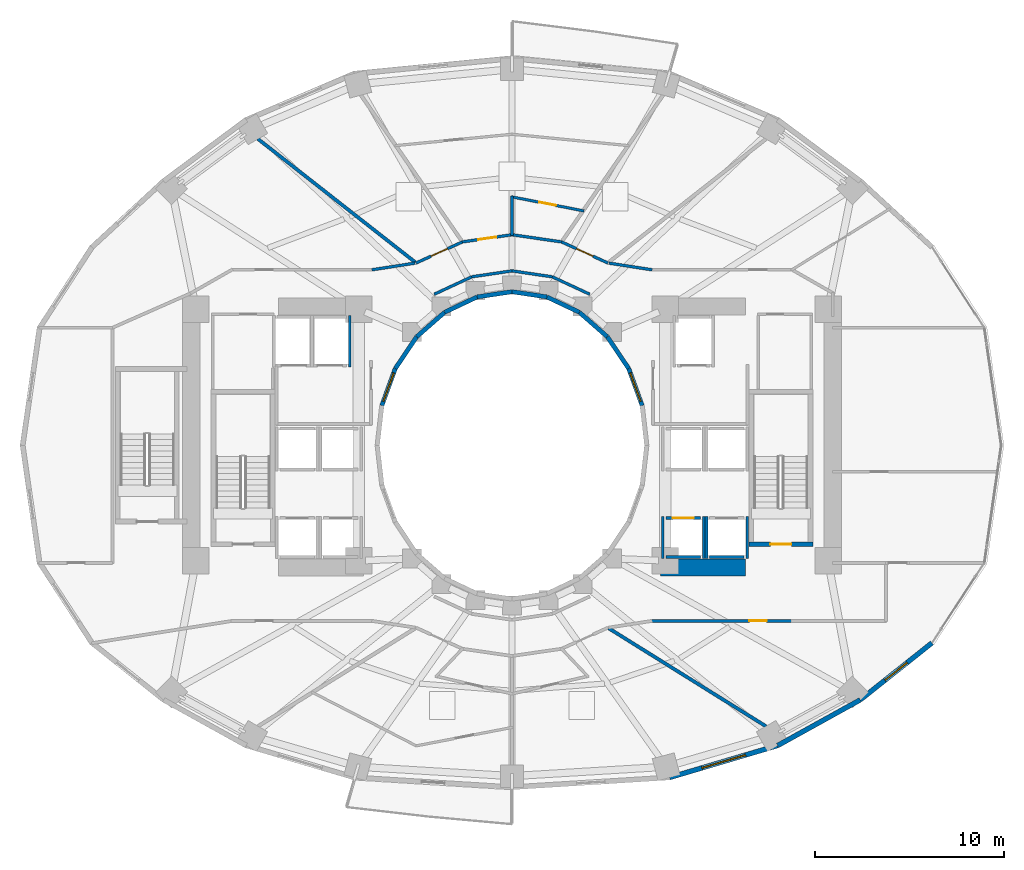
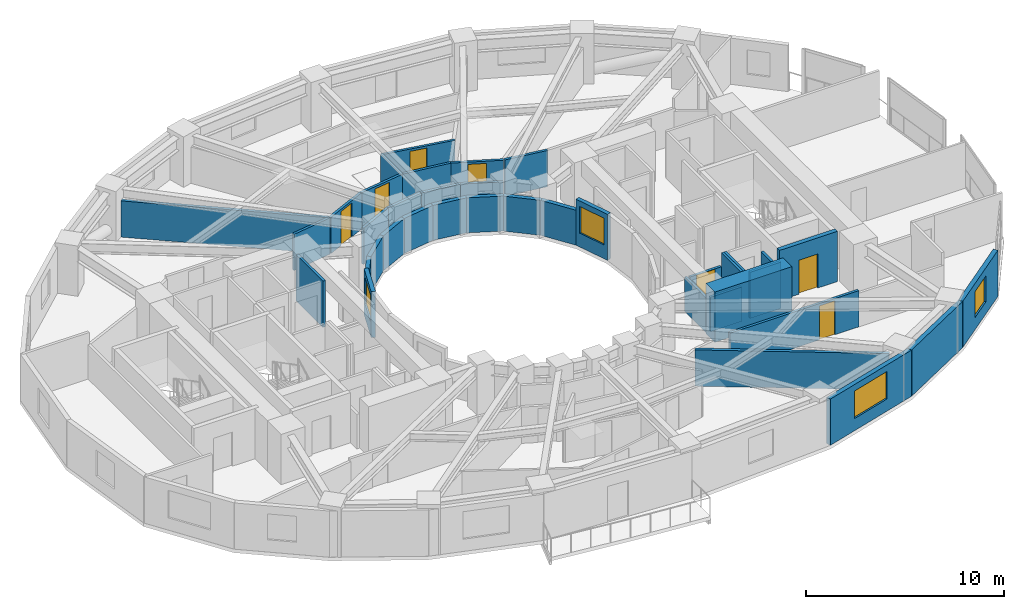
# One storey, part 9 of 14: 38 walls, 7 doors, 4 windows, 11 openings.
"""IFC4 building model written with IfcOpenShell, lengths in metres."""

from ifc_helpers import new_model, si_unit, direction, frame, frame_2d, origin, place, context, subcontext, project, spatial, rectangle, extrude, material, layer, layer_set, type_object, element, fill, save


model = new_model("IFC4")

# Units and contexts
model_context = context("Model", 3, precision=1e-05, world=origin(), true_north=direction((0.0, 1.0)))
body_context = subcontext(model_context, "Body", "Model", "MODEL_VIEW")
ifc_project = project(units=[si_unit("LENGTHUNIT", "METRE"), si_unit("AREAUNIT", "SQUARE_METRE"), si_unit("VOLUMEUNIT", "CUBIC_METRE"), si_unit("PLANEANGLEUNIT", "RADIAN"), si_unit("MASSUNIT", "GRAM", prefix="KILO")], contexts=[model_context])

# Site, building, storey
site_placement = place(None, origin())
site = spatial("IfcSite", under=ifc_project, at=site_placement, CompositionType="ELEMENT")
building_placement = place(site_placement, origin())
building = spatial("IfcBuilding", under=site, at=building_placement, Name="Solvane Sanctuary Tower", CompositionType="ELEMENT")
storey_placement = place(building_placement, frame((0.0, 0.0, 40.0)))
storey = spatial("IfcBuildingStorey", under=building, at=storey_placement, Name="L11", CompositionType="ELEMENT", Elevation=40.0)

# Walls
ifc_material_1 = material(Name="Concrete C70/85", Category="concrete")
ifc_layer_1 = layer(ifc_material_1, 0.89990234375, Name="Concrete C70/85")
ifc_layer_set_1 = layer_set([ifc_layer_1], Name="Concrete C70/85")
wall_type_1 = type_object("IfcWallType", Name="Wall W-CORE-900", PredefinedType="SHEAR", material=ifc_layer_set_1)
wall_1_placement = place(storey_placement, frame((39.85009765625, 16.550048828125, 0.0), z_axis=(0.0, 0.0, 1.0), x_axis=(1.0, 0.0, 0.0)))
element("IfcWall", 1, at=wall_1_placement, inside=storey, type_object=wall_type_1, Name="L11 Core Shear Wall EC-S", PredefinedType="SHEAR", context=body_context, shape_type="SweptSolid", body=[
    extrude(rectangle(XDim=4.5, YDim=0.89990234375, at=frame_2d((2.25, 0.0))), origin(), (0.0, 0.0, 1.0), 3.10009765625),
])
ifc_material_2 = material(Name="Acoustic Gypsum Partition Board")
ifc_layer_2 = layer(ifc_material_2, 0.14990234375, Name="Acoustic Gypsum Partition Board")
ifc_layer_set_2 = layer_set([ifc_layer_2], Name="Acoustic Gypsum Partition Board")
wall_type_2 = type_object("IfcWallType", Name="Wall W-CORR-150", PredefinedType="PARTITIONING", material=ifc_layer_set_2)
wall_2_placement = place(storey_placement, frame((36.110107421875, 30.98486328125, 0.0), z_axis=(0.0, 0.0, 1.0), x_axis=(-0.906943449489, 0.421252393975, 0.0)))
element("IfcWall", 2, at=wall_2_placement, inside=storey, type_object=wall_type_2, Name="L11 Light-Well Corridor Rim Wall N1", PredefinedType="PARTITIONING", context=body_context, shape_type="SweptSolid", body=[
    extrude(rectangle(XDim=2.18603515625, YDim=0.14990234375, at=frame_2d((1.093017578125, 0.0))), origin(), (0.0, 0.0, 1.0), 2.237060546875),
])
for number, where, z_axis, x_axis, name in (
    (3, (34.12744140625, 31.90576171875, 0.0), (0.0, 0.0, 1.0), (-0.989268584896, 0.146108408166, 0.0), "L11 Light-Well Corridor Rim Wall N2"),
    (4, (32.0, 32.219970703125, 0.0), (0.0, 0.0, 1.0), (-0.989268584896, -0.146108408166, 0.0), "L11 Light-Well Corridor Rim Wall N3"),
):
    element("IfcWall", number, at=place(storey_placement, frame(where, z_axis=z_axis, x_axis=x_axis)), inside=storey, type_object=wall_type_2, Name=name, PredefinedType="PARTITIONING", context=body_context, shape_type="SweptSolid", body=[
        extrude(rectangle(XDim=2.150634765625, YDim=0.14990234375, at=frame_2d((1.0751953125, 0.0))), origin(), (0.0, 0.0, 1.0), 2.237060546875),
    ])
wall_3_placement = place(storey_placement, frame((29.87255859375, 31.90576171875, 0.0), z_axis=(0.0, 0.0, 1.0), x_axis=(-0.906943449489, -0.421252393975, 0.0)))
element("IfcWall", 5, at=wall_3_placement, inside=storey, type_object=wall_type_2, Name="L11 Light-Well Corridor Rim Wall N4", PredefinedType="PARTITIONING", context=body_context, shape_type="SweptSolid", body=[
    extrude(rectangle(XDim=2.18603515625, YDim=0.14990234375, at=frame_2d((1.093017578125, 0.0))), origin(), (0.0, 0.0, 1.0), 2.237060546875),
])
for number, where, z_axis, x_axis, name in (
    (6, (37.119384765625, 32.630615234375, 0.0), (0.0, 0.0, 1.0), (0.988184633586, -0.153268163508, 0.0), "L11 NE Corner Throat Wall"),
    (7, (26.880615234375, 32.630615234375, 0.0), (0.0, 0.0, 1.0), (-0.988184633586, -0.153268163508, 0.0), "L11 NW Corner Throat Wall"),
):
    element("IfcWall", number, at=place(storey_placement, frame(where, z_axis=z_axis, x_axis=x_axis)), inside=storey, type_object=wall_type_2, Name=name, PredefinedType="PARTITIONING", context=body_context, shape_type="SweptSolid", body=[
        extrude(rectangle(XDim=2.317626953125, YDim=0.14990234375, at=frame_2d((1.15869140625, 0.0))), origin(), (0.0, 0.0, 1.0), 2.237060546875),
    ])

# Wall, opening, door
wall_4_placement = place(storey_placement, frame((39.330078125, 13.719970703125, 0.0), z_axis=(0.0, 0.0, 1.0), x_axis=(1.0, 0.0, 0.0)))
wall_4 = element("IfcWall", 8, at=wall_4_placement, inside=storey, type_object=wall_type_2, Name="L11 SE Corner Corridor Wall", PredefinedType="PARTITIONING", context=body_context, shape_type="SweptSolid", body=[
    extrude(rectangle(XDim=7.52001953125, YDim=0.14990234375, at=frame_2d((3.760009765625, 0.0))), origin(), (0.0, 0.0, 1.0), 2.237060546875),
])
opening_1_placement = place(wall_4_placement, frame((5.219970703125, 0.0, 0.0)))
opening_1 = element("IfcOpeningElement", 9, at=opening_1_placement, cuts=wall_4, Name="Opening D-L11-17", PredefinedType="OPENING", context=body_context, shape_type="SweptSolid", body=[
    extrude(rectangle(XDim=0.89990234375, YDim=2.10009765625, at=frame_2d((0.449951171875, 1.050048828125))), frame((0.0, 0.0849609375, 0.0), z_axis=(0.0, -1.0, 0.0), x_axis=(1.0, 0.0, 0.0)), (0.0, 0.0, 1.0), 0.169921875),
])
ifc_material_3 = material(Name="Engineered Tropical Hardwood", Category="wood")
door_type_1 = type_object("IfcDoorType", Name="Door D-WET-900", OperationType="NOTDEFINED", PredefinedType="DOOR", material=ifc_material_3)
door_1_placement = place(opening_1_placement, origin())
door_1 = element("IfcDoor", 10, at=door_1_placement, inside=storey, type_object=door_type_1, Name="L11 SE Corner Salon Door", OperationType="SINGLE_SWING_LEFT", OverallHeight=2.10009765625, OverallWidth=0.89990234375, PredefinedType="DOOR", context=body_context, shape_type="SweptSolid", body=[
    extrude(rectangle(XDim=0.89990234375, YDim=2.10009765625, at=frame_2d((0.449951171875, 1.050048828125))), frame((0.0, 0.02490234375, 0.0), z_axis=(0.0, -1.0, 0.0), x_axis=(1.0, 0.0, 0.0)), (0.0, 0.0, 1.0), 0.050048828125),
])
fill(opening_1, door_1)

wall_5_placement = place(storey_placement, frame((37.071044921875, 32.635009765625, 0.0), z_axis=(0.0, 0.0, 1.0), x_axis=(-0.910186679378, 0.414198272186, 0.0)))
wall_5 = element("IfcWall", 11, at=wall_5_placement, inside=storey, type_object=wall_type_2, Name="L11 Unit Corridor Wall N1", PredefinedType="PARTITIONING", context=body_context, shape_type="SweptSolid", body=[
    extrude(rectangle(XDim=2.698486328125, YDim=0.14990234375, at=frame_2d((1.34912109375, 0.0))), origin(), (0.0, 0.0, 1.0), 2.237060546875),
])
opening_2_placement = place(wall_5_placement, frame((0.874267578125, 0.0, 0.0)))
opening_2 = element("IfcOpeningElement", 12, at=opening_2_placement, cuts=wall_5, Name="Opening D-L11-18", PredefinedType="OPENING", context=body_context, shape_type="SweptSolid", body=[
    extrude(rectangle(XDim=0.949951171875, YDim=2.10009765625, at=frame_2d((0.47509765625, 1.050048828125))), frame((0.0, 0.0849609375, 0.0), z_axis=(0.0, -1.0, 0.0), x_axis=(1.0, 0.0, 0.0)), (0.0, 0.0, 1.0), 0.169921875),
])
door_type_2 = type_object("IfcDoorType", Name="Door D-ROOM-950", OperationType="NOTDEFINED", PredefinedType="DOOR", material=ifc_material_3)
door_2_placement = place(opening_2_placement, origin())
door_2 = element("IfcDoor", 13, at=door_2_placement, inside=storey, type_object=door_type_2, Name="L11 Unit Entrance Door N1", OperationType="SINGLE_SWING_RIGHT", OverallHeight=2.10009765625, OverallWidth=0.949951171875, PredefinedType="DOOR", context=body_context, shape_type="SweptSolid", body=[
    extrude(rectangle(XDim=0.949951171875, YDim=2.10009765625, at=frame_2d((0.47509765625, 1.050048828125))), frame((0.0, 0.02490234375, 0.0), z_axis=(0.0, -1.0, 0.0), x_axis=(1.0, 0.0, 0.0)), (0.0, 0.0, 1.0), 0.050048828125),
])
fill(opening_2, door_2)

# Wall
wall_6_placement = place(storey_placement, frame((34.67138671875, 33.74365234375, 0.0), z_axis=(0.0, 0.0, 1.0), x_axis=(-0.989701115085, 0.143149232617, 0.0)))
element("IfcWall", 14, at=wall_6_placement, inside=storey, type_object=wall_type_2, Name="L11 En-suite Inner Wall N2", PredefinedType="PARTITIONING", context=body_context, shape_type="SweptSolid", body=[
    extrude(rectangle(XDim=2.749267578125, YDim=0.14990234375, at=frame_2d((1.37451171875, 0.0))), origin(), (0.0, 0.0, 1.0), 2.237060546875),
])

# Wall, opening, door
wall_7_placement = place(storey_placement, frame((32.007080078125, 34.1298828125, 0.0), z_axis=(0.0, 0.0, 1.0), x_axis=(-0.989707881179, -0.143102445584, 0.0)))
wall_7 = element("IfcWall", 15, at=wall_7_placement, inside=storey, type_object=wall_type_2, Name="L11 Unit Corridor Wall N2", PredefinedType="PARTITIONING", context=body_context, shape_type="SweptSolid", body=[
    extrude(rectangle(XDim=2.6630859375, YDim=0.14990234375, at=frame_2d((1.33154296875, 0.0))), origin(), (0.0, 0.0, 1.0), 2.237060546875),
])
opening_3_placement = place(wall_7_placement, frame((0.856689453125, 0.0, 0.0)))
opening_3 = element("IfcOpeningElement", 16, at=opening_3_placement, cuts=wall_7, Name="Opening D-L11-21", PredefinedType="OPENING", context=body_context, shape_type="SweptSolid", body=[
    extrude(rectangle(XDim=0.949951171875, YDim=2.10009765625, at=frame_2d((0.47509765625, 1.050048828125))), frame((0.0, 0.0849609375, 0.0), z_axis=(0.0, -1.0, 0.0), x_axis=(1.0, 0.0, 0.0)), (0.0, 0.0, 1.0), 0.169921875),
])
door_3_placement = place(opening_3_placement, origin())
door_3 = element("IfcDoor", 17, at=door_3_placement, inside=storey, type_object=door_type_2, Name="L11 Unit Entrance Door N2", OperationType="SINGLE_SWING_LEFT", OverallHeight=2.10009765625, OverallWidth=0.949951171875, PredefinedType="DOOR", context=body_context, shape_type="SweptSolid", body=[
    extrude(rectangle(XDim=0.949951171875, YDim=2.10009765625, at=frame_2d((0.47509765625, 1.050048828125))), frame((0.0, 0.02490234375, 0.0), z_axis=(0.0, -1.0, 0.0), x_axis=(1.0, 0.0, 0.0)), (0.0, 0.0, 1.0), 0.050048828125),
])
fill(opening_3, door_3)

wall_8_placement = place(storey_placement, frame((29.385009765625, 33.752685546875, 0.0), z_axis=(0.0, 0.0, 1.0), x_axis=(-0.910186679378, -0.414198272186, 0.0)))
wall_8 = element("IfcWall", 18, at=wall_8_placement, inside=storey, type_object=wall_type_2, Name="L11 Unit Corridor Wall N3", PredefinedType="PARTITIONING", context=body_context, shape_type="SweptSolid", body=[
    extrude(rectangle(XDim=2.698486328125, YDim=0.14990234375, at=frame_2d((1.34912109375, 0.0))), origin(), (0.0, 0.0, 1.0), 2.237060546875),
])
opening_4_placement = place(wall_8_placement, frame((0.874267578125, 0.0, 0.0)))
opening_4 = element("IfcOpeningElement", 19, at=opening_4_placement, cuts=wall_8, Name="Opening D-L11-22", PredefinedType="OPENING", context=body_context, shape_type="SweptSolid", body=[
    extrude(rectangle(XDim=0.949951171875, YDim=2.10009765625, at=frame_2d((0.47509765625, 1.050048828125))), frame((0.0, 0.0849609375, 0.0), z_axis=(0.0, -1.0, 0.0), x_axis=(1.0, 0.0, 0.0)), (0.0, 0.0, 1.0), 0.169921875),
])
door_4_placement = place(opening_4_placement, origin())
door_4 = element("IfcDoor", 20, at=door_4_placement, inside=storey, type_object=door_type_2, Name="L11 Unit Entrance Door N3", OperationType="SINGLE_SWING_RIGHT", OverallHeight=2.10009765625, OverallWidth=0.949951171875, PredefinedType="DOOR", context=body_context, shape_type="SweptSolid", body=[
    extrude(rectangle(XDim=0.949951171875, YDim=2.10009765625, at=frame_2d((0.47509765625, 1.050048828125))), frame((0.0, 0.02490234375, 0.0), z_axis=(0.0, -1.0, 0.0), x_axis=(1.0, 0.0, 0.0)), (0.0, 0.0, 1.0), 0.050048828125),
])
fill(opening_4, door_4)

# Wall, opening, window
ifc_material_4 = material(Name="Precast concrete C40/50", Category="concrete")
ifc_layer_3 = layer(ifc_material_4, 0.260009765625, Name="Precast concrete C40/50")
ifc_layer_set_3 = layer_set([ifc_layer_3], Name="Precast concrete C40/50")
wall_type_3 = type_object("IfcWallType", Name="Wall W-EXT-250", PredefinedType="STANDARD", material=ifc_layer_set_3)
wall_9_placement = place(storey_placement, frame((40.331787109375, 5.447021484375, 0.0), z_axis=(0.0, 0.0, 1.0), x_axis=(0.958843593522, 0.283934786811, 0.0)))
wall_9 = element("IfcWall", 21, at=wall_9_placement, inside=storey, type_object=wall_type_3, Name="L11 Ceramic-Printed Facade Wall 19", PredefinedType="STANDARD", context=body_context, shape_type="SweptSolid", body=[
    extrude(rectangle(XDim=5.955322265625, YDim=0.260009765625, at=frame_2d((2.9775390625, 0.0))), origin(), (0.0, 0.0, 1.0), 2.85009765625),
])
opening_5_placement = place(wall_9_placement, frame((1.777587890625, 0.0, 0.75)))
opening_5 = element("IfcOpeningElement", 22, at=opening_5_placement, cuts=wall_9, Name="Opening WN-RIB-2400", PredefinedType="OPENING", context=body_context, shape_type="SweptSolid", body=[
    extrude(rectangle(XDim=2.39990234375, YDim=1.699951171875, at=frame_2d((1.199951171875, 0.85009765625))), frame((0.0, 0.139892578125, 0.0), z_axis=(0.0, -1.0, 0.0), x_axis=(1.0, 0.0, 0.0)), (0.0, 0.0, 1.0), 0.280029296875),
])
ifc_material_5 = material(Name="Dark Ceramic-Fritted Low-E Glass", Category="glass")
window_type_1 = type_object("IfcWindowType", Name="Window WN-RIB-2400", PartitioningType="SINGLE_PANEL", PredefinedType="WINDOW", material=ifc_material_5)
window_1_placement = place(opening_5_placement, origin())
window_1 = element("IfcWindow", 23, at=window_1_placement, inside=storey, type_object=window_type_1, Name="L11 Operable Facade Window 19", OverallHeight=1.699951171875, OverallWidth=2.39990234375, PartitioningType="SINGLE_PANEL", PredefinedType="WINDOW", context=body_context, shape_type="SweptSolid", body=[
    extrude(rectangle(XDim=2.39990234375, YDim=1.699951171875, at=frame_2d((1.199951171875, 0.85009765625))), frame((0.0, 0.030029296875, 0.0), z_axis=(0.0, -1.0, 0.0), x_axis=(1.0, 0.0, 0.0)), (0.0, 0.0, 1.0), 0.06005859375),
])
fill(opening_5, window_1)

# Wall
wall_10_placement = place(storey_placement, frame((46.0419921875, 7.137939453125, 0.0), z_axis=(0.0, 0.0, 1.0), x_axis=(0.875137303239, 0.483874674352, 0.0)))
element("IfcWall", 24, at=wall_10_placement, inside=storey, type_object=wall_type_3, Name="L11 Ceramic-Printed Facade Wall 20", PredefinedType="STANDARD", context=body_context, shape_type="SweptSolid", body=[
    extrude(rectangle(XDim=4.985107421875, YDim=0.260009765625, at=frame_2d((2.49267578125, 0.0))), origin(), (0.0, 0.0, 1.0), 2.85009765625),
])

# Wall, opening, window
wall_11_placement = place(storey_placement, frame((50.404541015625, 9.550048828125, 0.0), z_axis=(0.0, 0.0, 1.0), x_axis=(0.783123133379, 0.621866672179, 0.0)))
wall_11 = element("IfcWall", 25, at=wall_11_placement, inside=storey, type_object=wall_type_3, Name="L11 Ceramic-Printed Facade Wall 21", PredefinedType="STANDARD", context=body_context, shape_type="SweptSolid", body=[
    extrude(rectangle(XDim=4.838623046875, YDim=0.260009765625, at=frame_2d((2.41943359375, 0.0))), origin(), (0.0, 0.0, 1.0), 2.85009765625),
])
opening_6_placement = place(wall_11_placement, frame((1.669189453125, 0.0, 0.75)))
opening_6 = element("IfcOpeningElement", 26, at=opening_6_placement, cuts=wall_11, Name="Opening WN-OPER-1500", PredefinedType="OPENING", context=body_context, shape_type="SweptSolid", body=[
    extrude(rectangle(XDim=1.5, YDim=1.60009765625, at=frame_2d((0.75, 0.800048828125))), frame((0.0, 0.139892578125, 0.0), z_axis=(0.0, -1.0, 0.0), x_axis=(1.0, 0.0, 0.0)), (0.0, 0.0, 1.0), 0.280029296875),
])
window_type_2 = type_object("IfcWindowType", Name="Window WN-OPER-1500", PartitioningType="SINGLE_PANEL", PredefinedType="WINDOW", material=ifc_material_5)
window_2_placement = place(opening_6_placement, origin())
window_2 = element("IfcWindow", 27, at=window_2_placement, inside=storey, type_object=window_type_2, Name="L11 Operable Facade Window 21", OverallHeight=1.60009765625, OverallWidth=1.5, PartitioningType="SINGLE_PANEL", PredefinedType="WINDOW", context=body_context, shape_type="SweptSolid", body=[
    extrude(rectangle(XDim=1.5, YDim=1.60009765625, at=frame_2d((0.75, 0.800048828125))), frame((0.0, 0.030029296875, 0.0), z_axis=(0.0, -1.0, 0.0), x_axis=(1.0, 0.0, 0.0)), (0.0, 0.0, 1.0), 0.06005859375),
])
fill(opening_6, window_2)

ifc_layer_4 = layer(ifc_material_4, 0.22998046875, Name="Precast concrete C40/50")
ifc_layer_set_4 = layer_set([ifc_layer_4], Name="Precast concrete C40/50")
wall_type_4 = type_object("IfcWallType", Name="Wall W-EXT-SP220", PredefinedType="STANDARD", material=ifc_layer_set_4)
wall_12_placement = place(storey_placement, frame((38.87744140625, 25.1015625, 0.0), z_axis=(0.0, 0.0, 1.0), x_axis=(-0.341423187295, 0.93990968033, 0.0)))
wall_12 = element("IfcWall", 28, at=wall_12_placement, inside=storey, type_object=wall_type_4, Name="L11 Central Light-Well Wall 01", PredefinedType="STANDARD", context=body_context, shape_type="SweptSolid", body=[
    extrude(rectangle(XDim=2.083740234375, YDim=0.22998046875, at=frame_2d((1.0419921875, 0.0))), origin(), (0.0, 0.0, 1.0), 2.840087890625),
])
opening_7_placement = place(wall_12_placement, frame((0.24169921875, 0.0, 0.85009765625)))
opening_7 = element("IfcOpeningElement", 29, at=opening_7_placement, cuts=wall_12, Name="Opening WN-WELL-1600", PredefinedType="OPENING", context=body_context, shape_type="SweptSolid", body=[
    extrude(rectangle(XDim=1.60009765625, YDim=1.64990234375, at=frame_2d((0.800048828125, 0.824951171875))), frame((0.0, 0.125, 0.0), z_axis=(0.0, -1.0, 0.0), x_axis=(1.0, 0.0, 0.0)), (0.0, 0.0, 1.0), 0.25),
])
ifc_material_6 = material(Name="Clear Laminated Light-Well Glass", Category="glass")
window_type_3 = type_object("IfcWindowType", Name="Window WN-WELL-1600", PartitioningType="SINGLE_PANEL", PredefinedType="WINDOW", material=ifc_material_6)
window_3_placement = place(opening_7_placement, origin())
window_3 = element("IfcWindow", 30, at=window_3_placement, inside=storey, type_object=window_type_3, Name="L11 Light-Well Daylight Window 01", OverallHeight=1.64990234375, OverallWidth=1.60009765625, PartitioningType="SINGLE_PANEL", PredefinedType="WINDOW", context=body_context, shape_type="SweptSolid", body=[
    extrude(rectangle(XDim=1.60009765625, YDim=1.64990234375, at=frame_2d((0.800048828125, 0.824951171875))), frame((0.0, 0.030029296875, 0.0), z_axis=(0.0, -1.0, 0.0), x_axis=(1.0, 0.0, 0.0)), (0.0, 0.0, 1.0), 0.06005859375),
])
fill(opening_7, window_3)

# Walls
wall_13_placement = place(storey_placement, frame((38.166015625, 27.06005859375, 0.0), z_axis=(0.0, 0.0, 1.0), x_axis=(-0.558197800898, 0.829707909492, 0.0)))
element("IfcWall", 31, at=wall_13_placement, inside=storey, type_object=wall_type_4, Name="L11 Central Light-Well Wall 02", PredefinedType="STANDARD", context=body_context, shape_type="SweptSolid", body=[
    extrude(rectangle(XDim=2.02685546875, YDim=0.22998046875, at=frame_2d((1.013427734375, 0.0))), origin(), (0.0, 0.0, 1.0), 2.159912109375),
])
wall_14_placement = place(storey_placement, frame((37.03466796875, 28.74169921875, 0.0), z_axis=(0.0, 0.0, 1.0), x_axis=(-0.752576694707, 0.658504607869, 0.0)))
element("IfcWall", 32, at=wall_14_placement, inside=storey, type_object=wall_type_4, Name="L11 Central Light-Well Wall 03", PredefinedType="STANDARD", context=body_context, shape_type="SweptSolid", body=[
    extrude(rectangle(XDim=1.95947265625, YDim=0.22998046875, at=frame_2d((0.979736328125, 0.0))), origin(), (0.0, 0.0, 1.0), 2.159912109375),
])
wall_15_placement = place(storey_placement, frame((35.56005859375, 30.031982421875, 0.0), z_axis=(0.0, 0.0, 1.0), x_axis=(-0.904179699603, 0.427152280606, 0.0)))
element("IfcWall", 33, at=wall_15_placement, inside=storey, type_object=wall_type_4, Name="L11 Central Light-Well Wall 04", PredefinedType="STANDARD", context=body_context, shape_type="SweptSolid", body=[
    extrude(rectangle(XDim=1.899169921875, YDim=0.22998046875, at=frame_2d((0.94970703125, 0.0))), origin(), (0.0, 0.0, 1.0), 2.159912109375),
])
for number, where, z_axis, x_axis, name in (
    (34, (33.8427734375, 30.84326171875, 0.0), (0.0, 0.0, 1.0), (-0.988901730308, 0.148571086668, 0.0), "L11 Central Light-Well Wall 05"),
    (35, (32.0, 31.1201171875, 0.0), (0.0, 0.0, 1.0), (-0.988901730308, -0.148571086668, 0.0), "L11 Central Light-Well Wall 06"),
):
    element("IfcWall", number, at=place(storey_placement, frame(where, z_axis=z_axis, x_axis=x_axis)), inside=storey, type_object=wall_type_4, Name=name, PredefinedType="STANDARD", context=body_context, shape_type="SweptSolid", body=[
        extrude(rectangle(XDim=1.863525390625, YDim=0.22998046875, at=frame_2d((0.931640625, 0.0))), origin(), (0.0, 0.0, 1.0), 2.159912109375),
    ])
wall_16_placement = place(storey_placement, frame((30.1572265625, 30.84326171875, 0.0), z_axis=(0.0, 0.0, 1.0), x_axis=(-0.904179699603, -0.427152280606, 0.0)))
element("IfcWall", 36, at=wall_16_placement, inside=storey, type_object=wall_type_4, Name="L11 Central Light-Well Wall 07", PredefinedType="STANDARD", context=body_context, shape_type="SweptSolid", body=[
    extrude(rectangle(XDim=1.899169921875, YDim=0.22998046875, at=frame_2d((0.94970703125, 0.0))), origin(), (0.0, 0.0, 1.0), 2.159912109375),
])
wall_17_placement = place(storey_placement, frame((28.43994140625, 30.031982421875, 0.0), z_axis=(0.0, 0.0, 1.0), x_axis=(-0.752576694707, -0.658504607869, 0.0)))
element("IfcWall", 37, at=wall_17_placement, inside=storey, type_object=wall_type_4, Name="L11 Central Light-Well Wall 08", PredefinedType="STANDARD", context=body_context, shape_type="SweptSolid", body=[
    extrude(rectangle(XDim=1.95947265625, YDim=0.22998046875, at=frame_2d((0.979736328125, 0.0))), origin(), (0.0, 0.0, 1.0), 2.159912109375),
])
wall_18_placement = place(storey_placement, frame((26.96533203125, 28.74169921875, 0.0), z_axis=(0.0, 0.0, 1.0), x_axis=(-0.558197800898, -0.829707909492, 0.0)))
element("IfcWall", 38, at=wall_18_placement, inside=storey, type_object=wall_type_4, Name="L11 Central Light-Well Wall 09", PredefinedType="STANDARD", context=body_context, shape_type="SweptSolid", body=[
    extrude(rectangle(XDim=2.02685546875, YDim=0.22998046875, at=frame_2d((1.013427734375, 0.0))), origin(), (0.0, 0.0, 1.0), 2.159912109375),
])

# Wall, opening, window
wall_19_placement = place(storey_placement, frame((25.833984375, 27.06005859375, 0.0), z_axis=(0.0, 0.0, 1.0), x_axis=(-0.341423187295, -0.93990968033, 0.0)))
wall_19 = element("IfcWall", 39, at=wall_19_placement, inside=storey, type_object=wall_type_4, Name="L11 Central Light-Well Wall 10", PredefinedType="STANDARD", context=body_context, shape_type="SweptSolid", body=[
    extrude(rectangle(XDim=2.083740234375, YDim=0.22998046875, at=frame_2d((1.0419921875, 0.0))), origin(), (0.0, 0.0, 1.0), 2.840087890625),
])
opening_8_placement = place(wall_19_placement, frame((0.24169921875, 0.0, 0.85009765625)))
opening_8 = element("IfcOpeningElement", 40, at=opening_8_placement, cuts=wall_19, Name="Opening WN-WELL-1600", PredefinedType="OPENING", context=body_context, shape_type="SweptSolid", body=[
    extrude(rectangle(XDim=1.60009765625, YDim=1.64990234375, at=frame_2d((0.800048828125, 0.824951171875))), frame((0.0, 0.125, 0.0), z_axis=(0.0, -1.0, 0.0), x_axis=(1.0, 0.0, 0.0)), (0.0, 0.0, 1.0), 0.25),
])
window_4_placement = place(opening_8_placement, origin())
window_4 = element("IfcWindow", 41, at=window_4_placement, inside=storey, type_object=window_type_3, Name="L11 Light-Well Daylight Window 10", OverallHeight=1.64990234375, OverallWidth=1.60009765625, PartitioningType="SINGLE_PANEL", PredefinedType="WINDOW", context=body_context, shape_type="SweptSolid", body=[
    extrude(rectangle(XDim=1.60009765625, YDim=1.64990234375, at=frame_2d((0.800048828125, 0.824951171875))), frame((0.0, 0.030029296875, 0.0), z_axis=(0.0, -1.0, 0.0), x_axis=(1.0, 0.0, 0.0)), (0.0, 0.0, 1.0), 0.06005859375),
])
fill(opening_8, window_4)

# Wall, opening, door
ifc_material_7 = material(Name="Concrete C50/60", Category="concrete")
ifc_layer_5 = layer(ifc_material_7, 0.14990234375, Name="Concrete C50/60")
ifc_layer_set_5 = layer_set([ifc_layer_5], Name="Concrete C50/60")
wall_type_5 = type_object("IfcWallType", Name="Wall W-SHAFT-150", PredefinedType="SOLIDWALL", material=ifc_layer_set_5)
wall_20_placement = place(storey_placement, frame((40.139892578125, 19.159912109375, 0.0), z_axis=(0.0, 0.0, 1.0), x_axis=(1.0, 0.0, 0.0)))
wall_20 = element("IfcWall", 42, at=wall_20_placement, inside=storey, type_object=wall_type_5, Name="L11 PL-3 Lift Shaft Wall F", PredefinedType="SOLIDWALL", context=body_context, shape_type="SweptSolid", body=[
    extrude(rectangle(XDim=1.820068359375, YDim=0.14990234375, at=frame_2d((0.91015625, 0.0))), origin(), (0.0, 0.0, 1.0), 2.1201171875),
])
opening_9_placement = place(wall_20_placement, frame((0.360107421875, 0.0, 0.0)))
opening_9 = element("IfcOpeningElement", 43, at=opening_9_placement, cuts=wall_20, Name="Opening LD-L11-03", PredefinedType="OPENING", context=body_context, shape_type="SweptSolid", body=[
    extrude(rectangle(XDim=1.10009765625, YDim=2.10009765625, at=frame_2d((0.550048828125, 1.050048828125))), frame((0.0, 0.0849609375, 0.0), z_axis=(0.0, -1.0, 0.0), x_axis=(1.0, 0.0, 0.0)), (0.0, 0.0, 1.0), 0.169921875),
])
ifc_material_8 = material(Name="Architectural Stainless Steel 316", Category="steel")
door_type_3 = type_object("IfcDoorType", Name="Door LD-PASS-1100", OperationType="NOTDEFINED", PredefinedType="DOOR", material=ifc_material_8)
door_5_placement = place(opening_9_placement, origin())
door_5 = element("IfcDoor", 44, at=door_5_placement, inside=storey, type_object=door_type_3, Name="L11 PL-3 Lift Landing Door", OperationType="DOUBLE_DOOR_SLIDING", OverallHeight=2.10009765625, OverallWidth=1.10009765625, PredefinedType="DOOR", context=body_context, shape_type="SweptSolid", body=[
    extrude(rectangle(XDim=1.10009765625, YDim=2.10009765625, at=frame_2d((0.550048828125, 1.050048828125))), frame((0.0, 0.02490234375, 0.0), z_axis=(0.0, -1.0, 0.0), x_axis=(1.0, 0.0, 0.0)), (0.0, 0.0, 1.0), 0.050048828125),
])
fill(opening_9, door_5)

# Walls
wall_21_placement = place(storey_placement, frame((40.139892578125, 17.10009765625, 0.0), z_axis=(0.0, 0.0, 1.0), x_axis=(1.0, 0.0, 0.0)))
element("IfcWall", 45, at=wall_21_placement, inside=storey, type_object=wall_type_5, Name="L11 PL-3 Lift Shaft Wall B", PredefinedType="SOLIDWALL", context=body_context, shape_type="SweptSolid", body=[
    extrude(rectangle(XDim=1.820068359375, YDim=0.14990234375, at=frame_2d((0.91015625, 0.0))), origin(), (0.0, 0.0, 1.0), 2.1201171875),
])
wall_22_placement = place(storey_placement, frame((39.969970703125, 17.02001953125, 0.0), z_axis=(0.0, 0.0, 1.0), x_axis=(0.0, 1.0, 0.0)))
element("IfcWall", 46, at=wall_22_placement, inside=storey, type_object=wall_type_5, Name="L11 PL-3 Lift Shaft Wall S1", PredefinedType="SOLIDWALL", context=body_context, shape_type="SweptSolid", body=[
    extrude(rectangle(XDim=2.219970703125, YDim=0.14990234375, at=frame_2d((1.10986328125, 0.0))), origin(), (0.0, 0.0, 1.0), 2.1201171875),
])
wall_23_placement = place(storey_placement, frame((42.1298828125, 17.02001953125, 0.0), z_axis=(0.0, 0.0, 1.0), x_axis=(0.0, 1.0, 0.0)))
element("IfcWall", 47, at=wall_23_placement, inside=storey, type_object=wall_type_5, Name="L11 PL-3 Lift Shaft Wall S2", PredefinedType="SOLIDWALL", context=body_context, shape_type="SweptSolid", body=[
    extrude(rectangle(XDim=2.219970703125, YDim=0.14990234375, at=frame_2d((1.10986328125, 0.0))), origin(), (0.0, 0.0, 1.0), 2.85498046875),
])
wall_24_placement = place(storey_placement, frame((42.43994140625, 17.10009765625, 0.0), z_axis=(0.0, 0.0, 1.0), x_axis=(1.0, 0.0, 0.0)))
element("IfcWall", 48, at=wall_24_placement, inside=storey, type_object=wall_type_5, Name="L11 PL-4 Lift Shaft Wall B", PredefinedType="SOLIDWALL", context=body_context, shape_type="SweptSolid", body=[
    extrude(rectangle(XDim=1.820068359375, YDim=0.14990234375, at=frame_2d((0.91015625, 0.0))), origin(), (0.0, 0.0, 1.0), 2.85498046875),
])
wall_25_placement = place(storey_placement, frame((42.27001953125, 17.02001953125, 0.0), z_axis=(0.0, 0.0, 1.0), x_axis=(0.0, 1.0, 0.0)))
element("IfcWall", 49, at=wall_25_placement, inside=storey, type_object=wall_type_5, Name="L11 PL-4 Lift Shaft Wall S1", PredefinedType="SOLIDWALL", context=body_context, shape_type="SweptSolid", body=[
    extrude(rectangle(XDim=2.219970703125, YDim=0.14990234375, at=frame_2d((1.10986328125, 0.0))), origin(), (0.0, 0.0, 1.0), 2.85498046875),
])
wall_26_placement = place(storey_placement, frame((44.429931640625, 17.02001953125, 0.0), z_axis=(0.0, 0.0, 1.0), x_axis=(0.0, 1.0, 0.0)))
element("IfcWall", 50, at=wall_26_placement, inside=storey, type_object=wall_type_5, Name="L11 PL-4 Lift Shaft Wall S2", PredefinedType="SOLIDWALL", context=body_context, shape_type="SweptSolid", body=[
    extrude(rectangle(XDim=2.219970703125, YDim=0.14990234375, at=frame_2d((1.10986328125, 0.0))), origin(), (0.0, 0.0, 1.0), 2.1201171875),
])
wall_27_placement = place(storey_placement, frame((23.429931640625, 27.139892578125, 0.0), z_axis=(0.0, 0.0, 1.0), x_axis=(0.0, 1.0, 0.0)))
element("IfcWall", 51, at=wall_27_placement, inside=storey, type_object=wall_type_5, Name="L11 SVL-1 Lift Shaft Wall S2", PredefinedType="SOLIDWALL", context=body_context, shape_type="SweptSolid", body=[
    extrude(rectangle(XDim=2.72021484375, YDim=0.14990234375, at=frame_2d((1.360107421875, 0.0))), origin(), (0.0, 0.0, 1.0), 2.85498046875),
])

# Wall, opening, door
ifc_layer_6 = layer(ifc_material_7, 0.25, Name="Concrete C50/60")
ifc_layer_set_6 = layer_set([ifc_layer_6], Name="Concrete C50/60")
wall_type_6 = type_object("IfcWallType", Name="Wall W-SHAFT-250", PredefinedType="SOLIDWALL", material=ifc_layer_set_6)
wall_28_placement = place(storey_placement, frame((44.52490234375, 17.77001953125, 0.0), z_axis=(0.0, 0.0, 1.0), x_axis=(1.0, 0.0, 0.0)))
wall_28 = element("IfcWall", 52, at=wall_28_placement, inside=storey, type_object=wall_type_6, Name="L11 ST-2 Load-Bearing Shaft Wall S", PredefinedType="SOLIDWALL", context=body_context, shape_type="SweptSolid", body=[
    extrude(rectangle(XDim=3.3701171875, YDim=0.25, at=frame_2d((1.68505859375, 0.0))), origin(), (0.0, 0.0, 1.0), 3.10009765625),
])
opening_10_placement = place(wall_28_placement, frame((1.135009765625, 0.0, 0.0)))
opening_10 = element("IfcOpeningElement", 53, at=opening_10_placement, cuts=wall_28, Name="Opening D-L11-04", PredefinedType="OPENING", context=body_context, shape_type="SweptSolid", body=[
    extrude(rectangle(XDim=1.10009765625, YDim=2.10009765625, at=frame_2d((0.550048828125, 1.050048828125))), frame((0.0, 0.135009765625, 0.0), z_axis=(0.0, -1.0, 0.0), x_axis=(1.0, 0.0, 0.0)), (0.0, 0.0, 1.0), 0.27001953125),
])
door_type_4 = type_object("IfcDoorType", Name="Door D-STAIR", OperationType="NOTDEFINED", PredefinedType="DOOR", material=ifc_material_8)
door_6_placement = place(opening_10_placement, origin())
door_6 = element("IfcDoor", 54, at=door_6_placement, inside=storey, type_object=door_type_4, Name="L11 ST-2 Exit Stair Fire Door", OperationType="SINGLE_SWING_RIGHT", OverallHeight=2.10009765625, OverallWidth=1.10009765625, PredefinedType="DOOR", context=body_context, shape_type="SweptSolid", body=[
    extrude(rectangle(XDim=1.10009765625, YDim=2.10009765625, at=frame_2d((0.550048828125, 1.050048828125))), frame((0.0, 0.02490234375, 0.0), z_axis=(0.0, -1.0, 0.0), x_axis=(1.0, 0.0, 0.0)), (0.0, 0.0, 1.0), 0.050048828125),
])
fill(opening_10, door_6)

# Walls
ifc_layer_7 = layer(ifc_material_2, 0.179931640625, Name="Acoustic Gypsum Partition Board")
ifc_layer_set_7 = layer_set([ifc_layer_7], Name="Acoustic Gypsum Partition Board")
wall_type_7 = type_object("IfcWallType", Name="Wall W-UNIT-180", PredefinedType="PARTITIONING", material=ifc_layer_set_7)
wall_29_placement = place(storey_placement, frame((26.8916015625, 32.6728515625, 0.0), z_axis=(0.0, 0.0, 1.0), x_axis=(-0.78700868866, 0.616941912966, 0.0)))
element("IfcWall", 55, at=wall_29_placement, inside=storey, type_object=wall_type_7, Name="L11 Radial Compartment Wall 120", PredefinedType="PARTITIONING", context=body_context, shape_type="SweptSolid", body=[
    extrude(rectangle(XDim=10.5830078125, YDim=0.179931640625, at=frame_2d((5.29150390625, 0.0))), origin(), (0.0, 0.0, 1.0), 2.237060546875),
])
wall_30_placement = place(storey_placement, frame((37.11181640625, 13.33203125, 0.0), z_axis=(0.0, 0.0, 1.0), x_axis=(0.848647785721, -0.52895834977, 0.0)))
element("IfcWall", 56, at=wall_30_placement, inside=storey, type_object=wall_type_7, Name="L11 Radial Compartment Wall 300", PredefinedType="PARTITIONING", context=body_context, shape_type="SweptSolid", body=[
    extrude(rectangle(XDim=9.810302734375, YDim=0.179931640625, at=frame_2d((4.9052734375, 0.0))), origin(), (0.0, 0.0, 1.0), 2.237060546875),
])
ifc_layer_8 = layer(ifc_material_2, 0.139892578125, Name="Acoustic Gypsum Partition Board")
ifc_layer_set_8 = layer_set([ifc_layer_8], Name="Acoustic Gypsum Partition Board")
wall_type_8 = type_object("IfcWallType", Name="Wall W-WET-140", PredefinedType="PLUMBINGWALL", material=ifc_layer_set_8)
wall_31_placement = place(storey_placement, frame((32.0, 34.080078125, 0.0), z_axis=(0.0, 0.0, 1.0), x_axis=(0.0, 1.0, 0.0)))
element("IfcWall", 57, at=wall_31_placement, inside=storey, type_object=wall_type_8, Name="L11 En-suite Side Partition N2", PredefinedType="PLUMBINGWALL", context=body_context, shape_type="SweptSolid", body=[
    extrude(rectangle(XDim=2.099853515625, YDim=0.139892578125, at=frame_2d((1.0498046875, 0.0))), origin(), (0.0, 0.0, 1.0), 2.237060546875),
])

# Wall, opening, door
wall_32_placement = place(storey_placement, frame((35.80810546875, 35.386474609375, 0.0), z_axis=(0.0, 0.0, 1.0), x_axis=(-0.981464096276, 0.191646100197, 0.0)))
wall_32 = element("IfcWall", 58, at=wall_32_placement, inside=storey, type_object=wall_type_8, Name="L11 En-suite Bedroom Wall N2", PredefinedType="PLUMBINGWALL", context=body_context, shape_type="SweptSolid", body=[
    extrude(rectangle(XDim=3.929931640625, YDim=0.139892578125, at=frame_2d((1.96484375, 0.0))), origin(), (0.0, 0.0, 1.0), 2.237060546875),
])
opening_11_placement = place(wall_32_placement, frame((1.51513671875, 0.0, 0.0)))
opening_11 = element("IfcOpeningElement", 59, at=opening_11_placement, cuts=wall_32, Name="Opening D-L11-20", PredefinedType="OPENING", context=body_context, shape_type="SweptSolid", body=[
    extrude(rectangle(XDim=0.89990234375, YDim=2.10009765625, at=frame_2d((0.449951171875, 1.050048828125))), frame((0.0, 0.079833984375, 0.0), z_axis=(0.0, -1.0, 0.0), x_axis=(1.0, 0.0, 0.0)), (0.0, 0.0, 1.0), 0.159912109375),
])
door_7_placement = place(opening_11_placement, origin())
door_7 = element("IfcDoor", 60, at=door_7_placement, inside=storey, type_object=door_type_1, Name="L11 En-suite Bathroom Door N2", OperationType="SINGLE_SWING_RIGHT", OverallHeight=2.10009765625, OverallWidth=0.89990234375, PredefinedType="DOOR", context=body_context, shape_type="SweptSolid", body=[
    extrude(rectangle(XDim=0.89990234375, YDim=2.10009765625, at=frame_2d((0.449951171875, 1.050048828125))), frame((0.0, 0.02490234375, 0.0), z_axis=(0.0, -1.0, 0.0), x_axis=(1.0, 0.0, 0.0)), (0.0, 0.0, 1.0), 0.050048828125),
])
fill(opening_11, door_7)

save(model, "model.ifc")
